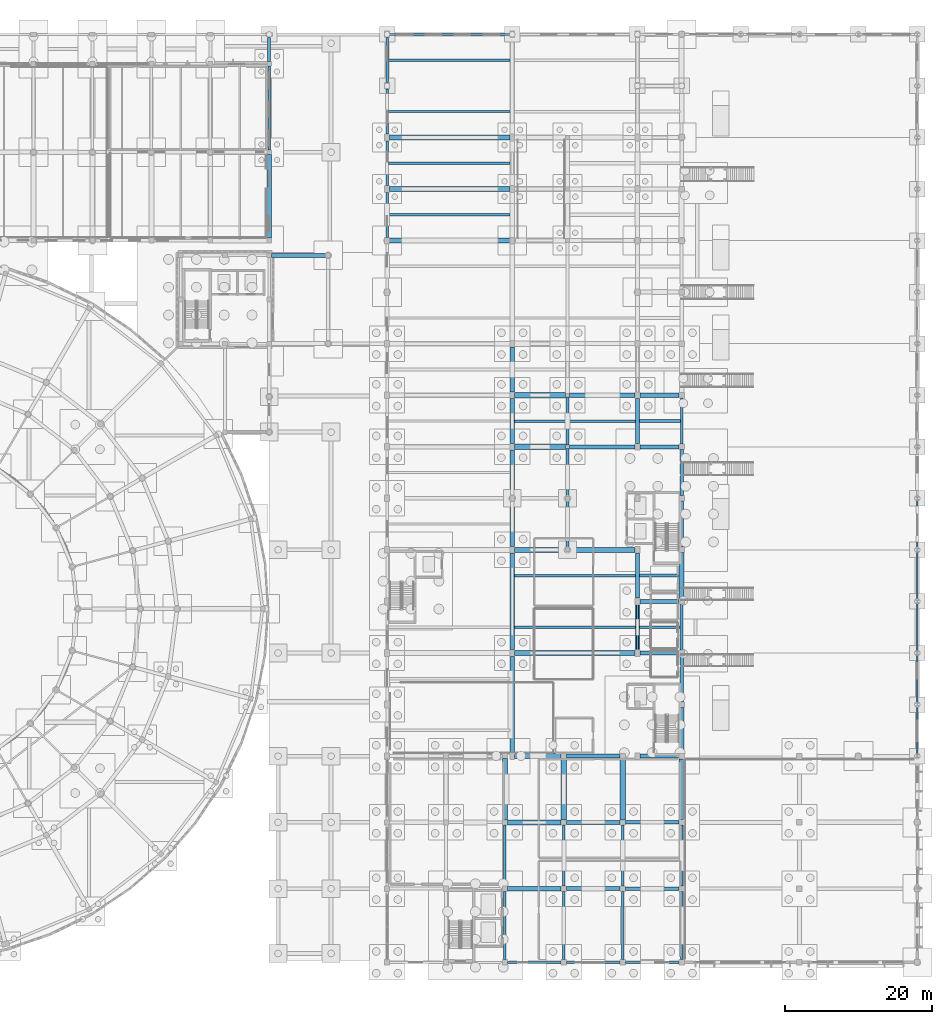
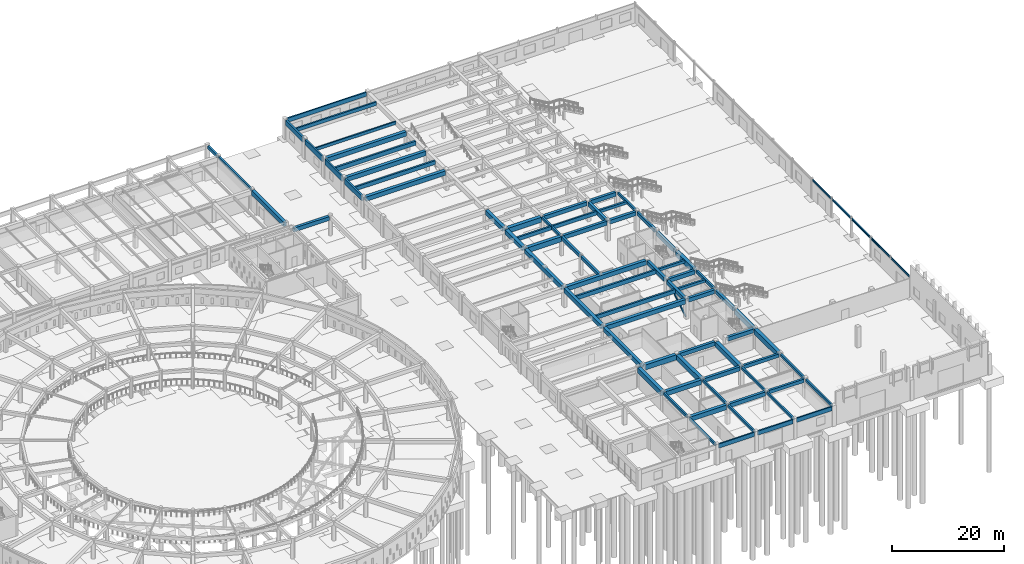
# One storey, part 35 of 84: 79 beams, 1 member.
"""IFC4 building model written with IfcOpenShell, lengths in metres."""

from ifc_helpers import new_model, si_unit, direction, frame, origin, origin_2d, place, context, subcontext, project, spatial, rectangle, i_section, extrude, material, material_profile, profile_set, type_object, element, save


model = new_model("IFC4")

# Units and contexts
model_context = context("Model", 3, precision=1e-05, world=origin(), true_north=direction((0.0, 1.0)))
body_context = subcontext(model_context, "Body", "Model", "MODEL_VIEW")
ifc_project = project(units=[si_unit("LENGTHUNIT", "METRE"), si_unit("AREAUNIT", "SQUARE_METRE"), si_unit("VOLUMEUNIT", "CUBIC_METRE"), si_unit("PLANEANGLEUNIT", "RADIAN"), si_unit("MASSUNIT", "GRAM", prefix="KILO")], contexts=[model_context])

# Site, building, storey
site_placement = place(None, origin())
site = spatial("IfcSite", under=ifc_project, at=site_placement, CompositionType="ELEMENT")
building_placement = place(site_placement, origin())
building = spatial("IfcBuilding", under=site, at=building_placement, Name="Larkveld Mobility Hub", CompositionType="ELEMENT")
storey_placement = place(building_placement, origin())
storey = spatial("IfcBuildingStorey", under=building, at=storey_placement, Name="L00", CompositionType="ELEMENT", Elevation=0.0)

# Beams
ifc_material_1 = material(Name="Precast concrete C50/60", Category="concrete")
ifc_material_profile_1 = material_profile(ifc_material_1, rectangle(XDim=0.280029296875, YDim=0.64990234375, at=origin_2d()), Name="PC DT 280x650")
ifc_profile_set_1 = profile_set([ifc_material_profile_1], Name="Precast concrete C50/60")
beam_type_1 = type_object("IfcBeamType", Name="BM-DT2865", PredefinedType="T_BEAM", material=ifc_profile_set_1)
beam_1_placement = place(storey_placement, frame((112.169921875, 115.5, 3.945068359375), z_axis=(1.0, 0.0, 0.0), x_axis=(0.0, 1.0, 0.0)))
element("IfcBeam", 1, at=beam_1_placement, inside=storey, type_object=beam_type_1, Name="Precast Double-Tee Stem L00-1043", PredefinedType="T_BEAM", context=body_context, shape_type="SweptSolid", body=[
    extrude(rectangle(XDim=0.280029296875, YDim=0.64990234375, at=origin_2d()), origin(), (0.0, 0.0, 1.0), 16.510009765625),
])
ifc_material_profile_2 = material_profile(ifc_material_1, rectangle(XDim=0.320068359375, YDim=0.75, at=origin_2d()), Name="PC DT 320x750")
ifc_profile_set_2 = profile_set([ifc_material_profile_2], Name="Precast concrete C50/60")
beam_type_2 = type_object("IfcBeamType", Name="BM-DT3275", PredefinedType="T_BEAM", material=ifc_profile_set_2)
beam_2_placement = place(storey_placement, frame((112.169921875, 122.5, 3.89501953125), z_axis=(1.0, 0.0, 0.0), x_axis=(0.0, 1.0, 0.0)))
element("IfcBeam", 2, at=beam_2_placement, inside=storey, type_object=beam_type_2, Name="Precast Double-Tee Stem L00-1046", PredefinedType="T_BEAM", context=body_context, shape_type="SweptSolid", body=[
    extrude(rectangle(XDim=0.320068359375, YDim=0.75, at=origin_2d()), origin(), (0.0, 0.0, 1.0), 16.510009765625),
])
ifc_material_profile_3 = material_profile(ifc_material_1, rectangle(XDim=0.340087890625, YDim=0.800048828125, at=origin_2d()), Name="PC DT 340x800")
ifc_profile_set_3 = profile_set([ifc_material_profile_3], Name="Precast concrete C50/60")
beam_type_3 = type_object("IfcBeamType", Name="BM-DT3480", PredefinedType="T_BEAM", material=ifc_profile_set_3)
beam_3_placement = place(storey_placement, frame((129.320068359375, 73.5, 3.8701171875), z_axis=(1.0, 0.0, 0.0), x_axis=(0.0, 1.0, 0.0)))
element("IfcBeam", 3, at=beam_3_placement, inside=storey, type_object=beam_type_3, Name="Precast Double-Tee Stem L00-1026", PredefinedType="T_BEAM", context=body_context, shape_type="SweptSolid", body=[
    extrude(rectangle(XDim=0.340087890625, YDim=0.800048828125, at=origin_2d()), origin(), (0.0, 0.0, 1.0), 16.409912109375),
])
ifc_material_profile_4 = material_profile(ifc_material_1, rectangle(XDim=0.360107421875, YDim=0.85009765625, at=origin_2d()), Name="PC DT 360x850")
ifc_profile_set_4 = profile_set([ifc_material_profile_4], Name="Precast concrete C50/60")
beam_type_4 = type_object("IfcBeamType", Name="BM-DT3685", PredefinedType="T_BEAM", material=ifc_profile_set_4)
beam_4_placement = place(storey_placement, frame((129.320068359375, 45.5, 3.844970703125), z_axis=(1.0, 0.0, 0.0), x_axis=(0.0, 1.0, 0.0)))
element("IfcBeam", 4, at=beam_4_placement, inside=storey, type_object=beam_type_4, Name="Precast Double-Tee Stem L00-1019", PredefinedType="T_BEAM", context=body_context, shape_type="SweptSolid", body=[
    extrude(rectangle(XDim=0.360107421875, YDim=0.85009765625, at=origin_2d()), origin(), (0.0, 0.0, 1.0), 16.409912109375),
])
beam_5_placement = place(storey_placement, frame((112.169921875, 101.5, 3.844970703125), z_axis=(1.0, 0.0, 0.0), x_axis=(0.0, 1.0, 0.0)))
element("IfcBeam", 5, at=beam_5_placement, inside=storey, type_object=beam_type_4, Name="Precast Double-Tee Stem L00-1037", PredefinedType="T_BEAM", context=body_context, shape_type="SweptSolid", body=[
    extrude(rectangle(XDim=0.360107421875, YDim=0.85009765625, at=origin_2d()), origin(), (0.0, 0.0, 1.0), 16.510009765625),
])
ifc_material_profile_5 = material_profile(ifc_material_1, rectangle(XDim=0.3798828125, YDim=0.89990234375, at=origin_2d()), Name="PC DT 380x900")
ifc_profile_set_5 = profile_set([ifc_material_profile_5], Name="Precast concrete C50/60")
beam_type_5 = type_object("IfcBeamType", Name="BM-DT3890", PredefinedType="T_BEAM", material=ifc_profile_set_5)
beam_6_placement = place(storey_placement, frame((129.320068359375, 52.5, 3.820068359375), z_axis=(1.0, 0.0, 0.0), x_axis=(0.0, 1.0, 0.0)))
element("IfcBeam", 6, at=beam_6_placement, inside=storey, type_object=beam_type_5, Name="Precast Double-Tee Stem L00-1021", PredefinedType="T_BEAM", context=body_context, shape_type="SweptSolid", body=[
    extrude(rectangle(XDim=0.3798828125, YDim=0.89990234375, at=origin_2d()), origin(), (0.0, 0.0, 1.0), 16.409912109375),
])
beam_7_placement = place(storey_placement, frame((112.169921875, 108.5, 3.820068359375), z_axis=(1.0, 0.0, 0.0), x_axis=(0.0, 1.0, 0.0)))
element("IfcBeam", 7, at=beam_7_placement, inside=storey, type_object=beam_type_5, Name="Precast Double-Tee Stem L00-1040", PredefinedType="T_BEAM", context=body_context, shape_type="SweptSolid", body=[
    extrude(rectangle(XDim=0.3798828125, YDim=0.89990234375, at=origin_2d()), origin(), (0.0, 0.0, 1.0), 16.510009765625),
])
ifc_material_profile_6 = material_profile(ifc_material_1, rectangle(XDim=0.64990234375, YDim=0.949951171875, at=origin_2d()), Name="PC ITB 650x950")
ifc_profile_set_6 = profile_set([ifc_material_profile_6], Name="Precast concrete C50/60")
beam_type_6 = type_object("IfcBeamType", Name="BM-ITB6595", PredefinedType="T_BEAM", material=ifc_profile_set_6)
for number, where, z_axis, x_axis, name in (
    (8, (129.324951171875, 42.0, 3.784912109375), (1.0, 0.0, 0.0), (0.0, 1.0, 0.0), "Primary E-W Girder L00-0022"),
    (9, (129.324951171875, 56.0, 3.784912109375), (1.0, 0.0, 0.0), (0.0, 1.0, 0.0), "Primary E-W Girder L00-0026"),
    (10, (112.324951171875, 98.0, 3.784912109375), (1.0, 0.0, 0.0), (0.0, 1.0, 0.0), "Primary E-W Girder L00-0059"),
    (11, (112.324951171875, 105.0, 3.784912109375), (1.0, 0.0, 0.0), (0.0, 1.0, 0.0), "Primary E-W Girder L00-0063"),
    (12, (112.324951171875, 112.0, 3.784912109375), (1.0, 0.0, 0.0), (0.0, 1.0, 0.0), "Primary E-W Girder L00-0079"),
):
    element("IfcBeam", number, at=place(storey_placement, frame(where, z_axis=z_axis, x_axis=x_axis)), inside=storey, type_object=beam_type_6, Name=name, PredefinedType="T_BEAM", context=body_context, shape_type="SweptSolid", body=[
        extrude(rectangle(XDim=0.64990234375, YDim=0.949951171875, at=origin_2d()), origin(), (0.0, 0.0, 1.0), 16.35009765625),
    ])
for number, where, z_axis, x_axis, name in (
    (13, (129.0, 28.449951171875, 3.784912109375), (0.0, 1.0, 0.0), (-1.0, 0.0, 0.0), "Primary N-S Girder L00-0181"),
    (14, (129.0, 42.449951171875, 3.784912109375), (0.0, 1.0, 0.0), (-1.0, 0.0, 0.0), "Primary N-S Girder L00-0182"),
    (15, (129.0, 56.449951171875, 3.784912109375), (0.0, 1.0, 0.0), (-1.0, 0.0, 0.0), "Primary N-S Girder L00-0183"),
):
    element("IfcBeam", number, at=place(storey_placement, frame(where, z_axis=z_axis, x_axis=x_axis)), inside=storey, type_object=beam_type_6, Name=name, PredefinedType="T_BEAM", context=body_context, shape_type="SweptSolid", body=[
        extrude(rectangle(XDim=0.64990234375, YDim=0.949951171875, at=origin_2d()), origin(), (0.0, 0.0, 1.0), 13.10009765625),
    ])
for number, where, z_axis, x_axis, name in (
    (16, (129.0, 70.449951171875, 3.784912109375), (0.0, 1.0, 0.0), (-1.0, 0.0, 0.0), "Primary N-S Girder L00-0184"),
    (17, (129.0, 77.449951171875, 3.784912109375), (0.0, 1.0, 0.0), (-1.0, 0.0, 0.0), "Primary N-S Girder L00-0185"),
):
    element("IfcBeam", number, at=place(storey_placement, frame(where, z_axis=z_axis, x_axis=x_axis)), inside=storey, type_object=beam_type_6, Name=name, PredefinedType="T_BEAM", context=body_context, shape_type="SweptSolid", body=[
        extrude(rectangle(XDim=0.64990234375, YDim=0.949951171875, at=origin_2d()), origin(), (0.0, 0.0, 1.0), 6.10009765625),
    ])
ifc_material_2 = material(Name="Concrete C40/50", Category="concrete")
ifc_material_profile_7 = material_profile(ifc_material_2, rectangle(XDim=0.35009765625, YDim=0.550048828125, at=origin_2d()), Name="RC BM 350x550")
ifc_profile_set_7 = profile_set([ifc_material_profile_7], Name="Concrete C40/50")
beam_type_7 = type_object("IfcBeamType", Name="BM-RC3555", PredefinedType="BEAM", material=ifc_profile_set_7)
beam_8_placement = place(storey_placement, frame((96.0, 110.324951171875, 3.985107421875), z_axis=(0.0, 1.0, 0.0), x_axis=(-1.0, 0.0, 0.0)))
element("IfcBeam", 18, at=beam_8_placement, inside=storey, type_object=beam_type_7, Name="Primary N-S Girder L00-0155", PredefinedType="BEAM", context=body_context, shape_type="SweptSolid", body=[
    extrude(rectangle(XDim=0.35009765625, YDim=0.550048828125, at=origin_2d()), origin(), (0.0, 0.0, 1.0), 11.35009765625),
])
beam_9_placement = place(storey_placement, frame((128.0, 0.35009765625, 3.985107421875), z_axis=(0.0, 1.0, 0.0), x_axis=(-1.0, 0.0, 0.0)))
element("IfcBeam", 19, at=beam_9_placement, inside=storey, type_object=beam_type_7, Name="Primary N-S Girder L00-0178", PredefinedType="BEAM", context=body_context, shape_type="SweptSolid", body=[
    extrude(rectangle(XDim=0.35009765625, YDim=0.550048828125, at=origin_2d()), origin(), (0.0, 0.0, 1.0), 9.2998046875),
])
beam_10_placement = place(storey_placement, frame((128.0, 10.35009765625, 3.985107421875), z_axis=(0.0, 1.0, 0.0), x_axis=(-1.0, 0.0, 0.0)))
element("IfcBeam", 20, at=beam_10_placement, inside=storey, type_object=beam_type_7, Name="Primary N-S Girder L00-0179", PredefinedType="BEAM", context=body_context, shape_type="SweptSolid", body=[
    extrude(rectangle(XDim=0.35009765625, YDim=0.550048828125, at=origin_2d()), origin(), (0.0, 0.0, 1.0), 8.2998046875),
])
beam_11_placement = place(storey_placement, frame((136.0, 0.35009765625, 3.985107421875), z_axis=(0.0, 1.0, 0.0), x_axis=(-1.0, 0.0, 0.0)))
element("IfcBeam", 21, at=beam_11_placement, inside=storey, type_object=beam_type_7, Name="Primary N-S Girder L00-0190", PredefinedType="BEAM", context=body_context, shape_type="SweptSolid", body=[
    extrude(rectangle(XDim=0.35009765625, YDim=0.550048828125, at=origin_2d()), origin(), (0.0, 0.0, 1.0), 9.2998046875),
])
beam_12_placement = place(storey_placement, frame((136.0, 10.35009765625, 3.985107421875), z_axis=(0.0, 1.0, 0.0), x_axis=(-1.0, 0.0, 0.0)))
element("IfcBeam", 22, at=beam_12_placement, inside=storey, type_object=beam_type_7, Name="Primary N-S Girder L00-0191", PredefinedType="BEAM", context=body_context, shape_type="SweptSolid", body=[
    extrude(rectangle(XDim=0.35009765625, YDim=0.550048828125, at=origin_2d()), origin(), (0.0, 0.0, 1.0), 8.2998046875),
])
beam_13_placement = place(storey_placement, frame((136.5, 70.25, 3.985107421875), z_axis=(0.0, 1.0, 0.0), x_axis=(-1.0, 0.0, 0.0)))
element("IfcBeam", 23, at=beam_13_placement, inside=storey, type_object=beam_type_7, Name="Primary N-S Girder L00-0193", PredefinedType="BEAM", context=body_context, shape_type="SweptSolid", body=[
    extrude(rectangle(XDim=0.35009765625, YDim=0.550048828125, at=origin_2d()), origin(), (0.0, 0.0, 1.0), 6.5),
])
beam_14_placement = place(storey_placement, frame((144.0, 0.35009765625, 3.985107421875), z_axis=(0.0, 1.0, 0.0), x_axis=(-1.0, 0.0, 0.0)))
element("IfcBeam", 24, at=beam_14_placement, inside=storey, type_object=beam_type_7, Name="Primary N-S Girder L00-0198", PredefinedType="BEAM", context=body_context, shape_type="SweptSolid", body=[
    extrude(rectangle(XDim=0.35009765625, YDim=0.550048828125, at=origin_2d()), origin(), (0.0, 0.0, 1.0), 9.2998046875),
])
beam_15_placement = place(storey_placement, frame((144.0, 10.35009765625, 3.985107421875), z_axis=(0.0, 1.0, 0.0), x_axis=(-1.0, 0.0, 0.0)))
element("IfcBeam", 25, at=beam_15_placement, inside=storey, type_object=beam_type_7, Name="Primary N-S Girder L00-0199", PredefinedType="BEAM", context=body_context, shape_type="SweptSolid", body=[
    extrude(rectangle(XDim=0.35009765625, YDim=0.550048828125, at=origin_2d()), origin(), (0.0, 0.0, 1.0), 8.2998046875),
])
beam_16_placement = place(storey_placement, frame((152.0, 0.375, 3.985107421875), z_axis=(0.0, 1.0, 0.0), x_axis=(-1.0, 0.0, 0.0)))
element("IfcBeam", 26, at=beam_16_placement, inside=storey, type_object=beam_type_7, Name="Primary N-S Girder L00-0211", PredefinedType="BEAM", context=body_context, shape_type="SweptSolid", body=[
    extrude(rectangle(XDim=0.35009765625, YDim=0.550048828125, at=origin_2d()), origin(), (0.0, 0.0, 1.0), 9.25),
])
beam_17_placement = place(storey_placement, frame((152.0, 10.375, 3.985107421875), z_axis=(0.0, 1.0, 0.0), x_axis=(-1.0, 0.0, 0.0)))
element("IfcBeam", 27, at=beam_17_placement, inside=storey, type_object=beam_type_7, Name="Primary N-S Girder L00-0212", PredefinedType="BEAM", context=body_context, shape_type="SweptSolid", body=[
    extrude(rectangle(XDim=0.35009765625, YDim=0.550048828125, at=origin_2d()), origin(), (0.0, 0.0, 1.0), 8.25),
])
beam_18_placement = place(storey_placement, frame((152.0, 70.375, 3.985107421875), z_axis=(0.0, 1.0, 0.0), x_axis=(-1.0, 0.0, 0.0)))
element("IfcBeam", 28, at=beam_18_placement, inside=storey, type_object=beam_type_7, Name="Primary N-S Girder L00-0220", PredefinedType="BEAM", context=body_context, shape_type="SweptSolid", body=[
    extrude(rectangle(XDim=0.35009765625, YDim=0.550048828125, at=origin_2d()), origin(), (0.0, 0.0, 1.0), 6.25),
])
ifc_material_profile_8 = material_profile(ifc_material_2, rectangle(XDim=0.39990234375, YDim=0.60009765625, at=origin_2d()), Name="RC BM 400x600")
ifc_profile_set_8 = profile_set([ifc_material_profile_8], Name="Concrete C40/50")
beam_type_8 = type_object("IfcBeamType", Name="BM-RC4060", PredefinedType="BEAM", material=ifc_profile_set_8)
beam_19_placement = place(storey_placement, frame((146.27001953125, 45.5, 3.969970703125), z_axis=(1.0, 0.0, 0.0), x_axis=(0.0, 1.0, 0.0)))
element("IfcBeam", 29, at=beam_19_placement, inside=storey, type_object=beam_type_8, Name="Concourse Spine Joist L00-1020", PredefinedType="BEAM", context=body_context, shape_type="SweptSolid", body=[
    extrude(rectangle(XDim=0.39990234375, YDim=0.60009765625, at=origin_2d()), origin(), (0.0, 0.0, 1.0), 5.534912109375),
])
beam_20_placement = place(storey_placement, frame((146.27001953125, 52.5, 3.969970703125), z_axis=(1.0, 0.0, 0.0), x_axis=(0.0, 1.0, 0.0)))
element("IfcBeam", 30, at=beam_20_placement, inside=storey, type_object=beam_type_8, Name="Concourse Spine Joist L00-1022", PredefinedType="BEAM", context=body_context, shape_type="SweptSolid", body=[
    extrude(rectangle(XDim=0.39990234375, YDim=0.60009765625, at=origin_2d()), origin(), (0.0, 0.0, 1.0), 5.385009765625),
])
beam_21_placement = place(storey_placement, frame((146.27001953125, 73.5, 3.969970703125), z_axis=(1.0, 0.0, 0.0), x_axis=(0.0, 1.0, 0.0)))
element("IfcBeam", 31, at=beam_21_placement, inside=storey, type_object=beam_type_8, Name="Concourse Spine Joist L00-1027", PredefinedType="BEAM", context=body_context, shape_type="SweptSolid", body=[
    extrude(rectangle(XDim=0.39990234375, YDim=0.60009765625, at=origin_2d()), origin(), (0.0, 0.0, 1.0), 5.56005859375),
])
ifc_material_profile_9 = material_profile(ifc_material_2, rectangle(XDim=0.39990234375, YDim=0.64990234375, at=origin_2d()), Name="RC BM 400x650")
ifc_profile_set_9 = profile_set([ifc_material_profile_9], Name="Concrete C40/50")
beam_type_9 = type_object("IfcBeamType", Name="BM-RC4065", PredefinedType="BEAM", material=ifc_profile_set_9)
beam_22_placement = place(storey_placement, frame((96.0, 122.324951171875, 3.93505859375), z_axis=(0.0, 1.0, 0.0), x_axis=(-1.0, 0.0, 0.0)))
element("IfcBeam", 32, at=beam_22_placement, inside=storey, type_object=beam_type_9, Name="Primary N-S Girder L00-0156", PredefinedType="BEAM", context=body_context, shape_type="SweptSolid", body=[
    extrude(rectangle(XDim=0.39990234375, YDim=0.64990234375, at=origin_2d()), origin(), (0.0, 0.0, 1.0), 3.25),
])
beam_23_placement = place(storey_placement, frame((152.0, 42.375, 3.93505859375), z_axis=(0.0, 1.0, 0.0), x_axis=(-1.0, 0.0, 0.0)))
element("IfcBeam", 33, at=beam_23_placement, inside=storey, type_object=beam_type_9, Name="Primary N-S Girder L00-0216", PredefinedType="BEAM", context=body_context, shape_type="SweptSolid", body=[
    extrude(rectangle(XDim=0.39990234375, YDim=0.64990234375, at=origin_2d()), origin(), (0.0, 0.0, 1.0), 6.25),
])
ifc_material_profile_10 = material_profile(ifc_material_2, rectangle(XDim=0.449951171875, YDim=0.699951171875, at=origin_2d()), Name="RC BM 450x700")
ifc_profile_set_10 = profile_set([ifc_material_profile_10], Name="Concrete C40/50")
beam_type_10 = type_object("IfcBeamType", Name="BM-RC4570", PredefinedType="BEAM", material=ifc_profile_set_10)
beam_24_placement = place(storey_placement, frame((152.0, 63.375, 3.909912109375), z_axis=(0.0, 1.0, 0.0), x_axis=(-1.0, 0.0, 0.0)))
element("IfcBeam", 34, at=beam_24_placement, inside=storey, type_object=beam_type_10, Name="Primary N-S Girder L00-0219", PredefinedType="BEAM", context=body_context, shape_type="SweptSolid", body=[
    extrude(rectangle(XDim=0.449951171875, YDim=0.699951171875, at=origin_2d()), origin(), (0.0, 0.0, 1.0), 6.25),
])
for number, where, z_axis, x_axis, name in (
    (35, (136.5, 56.25, 3.909912109375), (0.0, 1.0, 0.0), (-1.0, 0.0, 0.0), "Ramp Edge Girder L00-0241"),
    (36, (136.5, 63.25, 3.909912109375), (0.0, 1.0, 0.0), (-1.0, 0.0, 0.0), "Ramp Edge Girder L00-0241"),
):
    element("IfcBeam", number, at=place(storey_placement, frame(where, z_axis=z_axis, x_axis=x_axis)), inside=storey, type_object=beam_type_10, Name=name, PredefinedType="BEAM", context=body_context, shape_type="SweptSolid", body=[
        extrude(rectangle(XDim=0.449951171875, YDim=0.699951171875, at=origin_2d()), origin(), (0.0, 0.0, 1.0), 6.5),
    ])
ifc_material_profile_11 = material_profile(ifc_material_2, rectangle(XDim=0.449951171875, YDim=0.75, at=origin_2d()), Name="RC BM 450x750")
ifc_profile_set_11 = profile_set([ifc_material_profile_11], Name="Concrete C40/50")
beam_type_11 = type_object("IfcBeamType", Name="BM-RC4575", PredefinedType="BEAM", material=ifc_profile_set_11)
for number, where, z_axis, x_axis, name in (
    (37, (144.35009765625, 10.0, 3.885009765625), (1.0, 0.0, 0.0), (0.0, 1.0, 0.0), "Primary E-W Girder L00-0010"),
    (38, (144.35009765625, 19.0, 3.885009765625), (1.0, 0.0, 0.0), (0.0, 1.0, 0.0), "Primary E-W Girder L00-0015"),
):
    element("IfcBeam", number, at=place(storey_placement, frame(where, z_axis=z_axis, x_axis=x_axis)), inside=storey, type_object=beam_type_11, Name=name, PredefinedType="BEAM", context=body_context, shape_type="SweptSolid", body=[
        extrude(rectangle(XDim=0.449951171875, YDim=0.75, at=origin_2d()), origin(), (0.0, 0.0, 1.0), 7.27490234375),
    ])
ifc_material_profile_12 = material_profile(ifc_material_2, rectangle(XDim=0.5, YDim=0.800048828125, at=origin_2d()), Name="RC BM 500x800")
ifc_profile_set_12 = profile_set([ifc_material_profile_12], Name="Concrete C40/50")
beam_type_12 = type_object("IfcBeamType", Name="BM-RC5080", PredefinedType="BEAM", material=ifc_profile_set_12)
beam_25_placement = place(storey_placement, frame((152.0, 35.375, 3.860107421875), z_axis=(0.0, 1.0, 0.0), x_axis=(-1.0, 0.0, 0.0)))
element("IfcBeam", 39, at=beam_25_placement, inside=storey, type_object=beam_type_12, Name="Primary N-S Girder L00-0215", PredefinedType="BEAM", context=body_context, shape_type="SweptSolid", body=[
    extrude(rectangle(XDim=0.5, YDim=0.800048828125, at=origin_2d()), origin(), (0.0, 0.0, 1.0), 6.25),
])
ifc_material_profile_13 = material_profile(ifc_material_2, rectangle(XDim=0.550048828125, YDim=0.85009765625, at=origin_2d()), Name="RC BM 550x850")
ifc_profile_set_13 = profile_set([ifc_material_profile_13], Name="Concrete C40/50")
beam_type_13 = type_object("IfcBeamType", Name="BM-RC5585", PredefinedType="BEAM", material=ifc_profile_set_13)
for number, where, z_axis, x_axis, name in (
    (40, (136.35009765625, 10.0, 3.8349609375), (1.0, 0.0, 0.0), (0.0, 1.0, 0.0), "Primary E-W Girder L00-0009"),
    (41, (136.35009765625, 19.0, 3.8349609375), (1.0, 0.0, 0.0), (0.0, 1.0, 0.0), "Primary E-W Girder L00-0014"),
    (42, (136.35009765625, 28.0, 3.8349609375), (1.0, 0.0, 0.0), (0.0, 1.0, 0.0), "Primary E-W Girder L00-0019"),
):
    element("IfcBeam", number, at=place(storey_placement, frame(where, z_axis=z_axis, x_axis=x_axis)), inside=storey, type_object=beam_type_13, Name=name, PredefinedType="BEAM", context=body_context, shape_type="SweptSolid", body=[
        extrude(rectangle(XDim=0.550048828125, YDim=0.85009765625, at=origin_2d()), origin(), (0.0, 0.0, 1.0), 7.2998046875),
    ])
for number, where, z_axis, x_axis, name in (
    (43, (146.324951171875, 28.0, 3.8349609375), (1.0, 0.0, 0.0), (0.0, 1.0, 0.0), "Primary E-W Girder L00-0020"),
    (44, (146.324951171875, 42.0, 3.8349609375), (1.0, 0.0, 0.0), (0.0, 1.0, 0.0), "Primary E-W Girder L00-0023"),
    (45, (146.324951171875, 49.0, 3.8349609375), (1.0, 0.0, 0.0), (0.0, 1.0, 0.0), "Primary E-W Girder L00-0024"),
):
    element("IfcBeam", number, at=place(storey_placement, frame(where, z_axis=z_axis, x_axis=x_axis)), inside=storey, type_object=beam_type_13, Name=name, PredefinedType="BEAM", context=body_context, shape_type="SweptSolid", body=[
        extrude(rectangle(XDim=0.550048828125, YDim=0.85009765625, at=origin_2d()), origin(), (0.0, 0.0, 1.0), 5.300048828125),
    ])
beam_26_placement = place(storey_placement, frame((136.75, 70.0, 3.8349609375), z_axis=(1.0, 0.0, 0.0), x_axis=(0.0, 1.0, 0.0)))
element("IfcBeam", 46, at=beam_26_placement, inside=storey, type_object=beam_type_13, Name="Primary E-W Girder L00-0029", PredefinedType="BEAM", context=body_context, shape_type="SweptSolid", body=[
    extrude(rectangle(XDim=0.550048828125, YDim=0.85009765625, at=origin_2d()), origin(), (0.0, 0.0, 1.0), 8.925048828125),
])
beam_27_placement = place(storey_placement, frame((146.324951171875, 70.0, 3.8349609375), z_axis=(1.0, 0.0, 0.0), x_axis=(0.0, 1.0, 0.0)))
element("IfcBeam", 47, at=beam_27_placement, inside=storey, type_object=beam_type_13, Name="Primary E-W Girder L00-0030", PredefinedType="BEAM", context=body_context, shape_type="SweptSolid", body=[
    extrude(rectangle(XDim=0.550048828125, YDim=0.85009765625, at=origin_2d()), origin(), (0.0, 0.0, 1.0), 5.300048828125),
])
beam_28_placement = place(storey_placement, frame((136.75, 77.0, 3.8349609375), z_axis=(1.0, 0.0, 0.0), x_axis=(0.0, 1.0, 0.0)))
element("IfcBeam", 48, at=beam_28_placement, inside=storey, type_object=beam_type_13, Name="Primary E-W Girder L00-0033", PredefinedType="BEAM", context=body_context, shape_type="SweptSolid", body=[
    extrude(rectangle(XDim=0.550048828125, YDim=0.85009765625, at=origin_2d()), origin(), (0.0, 0.0, 1.0), 8.925048828125),
])
beam_29_placement = place(storey_placement, frame((146.324951171875, 77.0, 3.8349609375), z_axis=(1.0, 0.0, 0.0), x_axis=(0.0, 1.0, 0.0)))
element("IfcBeam", 49, at=beam_29_placement, inside=storey, type_object=beam_type_13, Name="Primary E-W Girder L00-0034", PredefinedType="BEAM", context=body_context, shape_type="SweptSolid", body=[
    extrude(rectangle(XDim=0.550048828125, YDim=0.85009765625, at=origin_2d()), origin(), (0.0, 0.0, 1.0), 5.300048828125),
])
beam_30_placement = place(storey_placement, frame((96.324951171875, 96.0, 3.8349609375), z_axis=(1.0, 0.0, 0.0), x_axis=(0.0, 1.0, 0.0)))
element("IfcBeam", 50, at=beam_30_placement, inside=storey, type_object=beam_type_13, Name="Primary E-W Girder L00-0046", PredefinedType="BEAM", context=body_context, shape_type="SweptSolid", body=[
    extrude(rectangle(XDim=0.550048828125, YDim=0.85009765625, at=origin_2d()), origin(), (0.0, 0.0, 1.0), 7.324951171875),
])
for number, where, z_axis, x_axis, name in (
    (51, (146.0, 42.449951171875, 3.8349609375), (0.0, 1.0, 0.0), (-1.0, 0.0, 0.0), "Primary N-S Girder L00-0201"),
    (52, (146.0, 49.449951171875, 3.8349609375), (0.0, 1.0, 0.0), (-1.0, 0.0, 0.0), "Primary N-S Girder L00-0202"),
    (53, (146.0, 70.449951171875, 3.8349609375), (0.0, 1.0, 0.0), (-1.0, 0.0, 0.0), "Primary N-S Girder L00-0203"),
):
    element("IfcBeam", number, at=place(storey_placement, frame(where, z_axis=z_axis, x_axis=x_axis)), inside=storey, type_object=beam_type_13, Name=name, PredefinedType="BEAM", context=body_context, shape_type="SweptSolid", body=[
        extrude(rectangle(XDim=0.550048828125, YDim=0.85009765625, at=origin_2d()), origin(), (0.0, 0.0, 1.0), 6.10009765625),
    ])
beam_31_placement = place(storey_placement, frame((152.0, 56.375, 3.8349609375), z_axis=(0.0, 1.0, 0.0), x_axis=(-1.0, 0.0, 0.0)))
element("IfcBeam", 54, at=beam_31_placement, inside=storey, type_object=beam_type_13, Name="Primary N-S Girder L00-0218", PredefinedType="BEAM", context=body_context, shape_type="SweptSolid", body=[
    extrude(rectangle(XDim=0.550048828125, YDim=0.85009765625, at=origin_2d()), origin(), (0.0, 0.0, 1.0), 6.25),
])
ifc_material_profile_14 = material_profile(ifc_material_2, rectangle(XDim=0.64990234375, YDim=1.0, at=origin_2d()), Name="RC BM 650x1000")
ifc_profile_set_14 = profile_set([ifc_material_profile_14], Name="Concrete C40/50")
beam_type_14 = type_object("IfcBeamType", Name="BM-RC65100", PredefinedType="BEAM", material=ifc_profile_set_14)
for number, where, z_axis, x_axis, name in (
    (55, (128.35009765625, 10.0, 3.760009765625), (1.0, 0.0, 0.0), (0.0, 1.0, 0.0), "Primary E-W Girder L00-0008"),
    (56, (128.35009765625, 19.0, 3.760009765625), (1.0, 0.0, 0.0), (0.0, 1.0, 0.0), "Primary E-W Girder L00-0013"),
):
    element("IfcBeam", number, at=place(storey_placement, frame(where, z_axis=z_axis, x_axis=x_axis)), inside=storey, type_object=beam_type_14, Name=name, PredefinedType="BEAM", context=body_context, shape_type="SweptSolid", body=[
        extrude(rectangle(XDim=0.64990234375, YDim=1.0, at=origin_2d()), origin(), (0.0, 0.0, 1.0), 7.2998046875),
    ])
beam_32_placement = place(storey_placement, frame((96.0, 98.324951171875, 3.760009765625), z_axis=(0.0, 1.0, 0.0), x_axis=(-1.0, 0.0, 0.0)))
element("IfcBeam", 57, at=beam_32_placement, inside=storey, type_object=beam_type_14, Name="Primary N-S Girder L00-0154", PredefinedType="BEAM", context=body_context, shape_type="SweptSolid", body=[
    extrude(rectangle(XDim=0.64990234375, YDim=1.0, at=origin_2d()), origin(), (0.0, 0.0, 1.0), 11.35009765625),
])
beam_33_placement = place(storey_placement, frame((152.0, 28.375, 3.760009765625), z_axis=(0.0, 1.0, 0.0), x_axis=(-1.0, 0.0, 0.0)))
element("IfcBeam", 58, at=beam_33_placement, inside=storey, type_object=beam_type_14, Name="Primary N-S Girder L00-0214", PredefinedType="BEAM", context=body_context, shape_type="SweptSolid", body=[
    extrude(rectangle(XDim=0.64990234375, YDim=1.0, at=origin_2d()), origin(), (0.0, 0.0, 1.0), 6.25),
])
ifc_material_profile_15 = material_profile(ifc_material_2, rectangle(XDim=0.699951171875, YDim=1.10009765625, at=origin_2d()), Name="RC BM 700x1100")
ifc_profile_set_15 = profile_set([ifc_material_profile_15], Name="Concrete C40/50")
beam_type_15 = type_object("IfcBeamType", Name="BM-RC70110", PredefinedType="BEAM", material=ifc_profile_set_15)
beam_34_placement = place(storey_placement, frame((129.324951171875, 28.0, 3.7099609375), z_axis=(1.0, 0.0, 0.0), x_axis=(0.0, 1.0, 0.0)))
element("IfcBeam", 59, at=beam_34_placement, inside=storey, type_object=beam_type_15, Name="Primary E-W Girder L00-0018", PredefinedType="BEAM", context=body_context, shape_type="SweptSolid", body=[
    extrude(rectangle(XDim=0.699951171875, YDim=1.10009765625, at=origin_2d()), origin(), (0.0, 0.0, 1.0), 6.324951171875),
])
for number, where, z_axis, x_axis, name in (
    (60, (129.324951171875, 70.0, 3.7099609375), (1.0, 0.0, 0.0), (0.0, 1.0, 0.0), "Primary E-W Girder L00-0028"),
    (61, (129.324951171875, 77.0, 3.7099609375), (1.0, 0.0, 0.0), (0.0, 1.0, 0.0), "Primary E-W Girder L00-0032"),
):
    element("IfcBeam", number, at=place(storey_placement, frame(where, z_axis=z_axis, x_axis=x_axis)), inside=storey, type_object=beam_type_15, Name=name, PredefinedType="BEAM", context=body_context, shape_type="SweptSolid", body=[
        extrude(rectangle(XDim=0.699951171875, YDim=1.10009765625, at=origin_2d()), origin(), (0.0, 0.0, 1.0), 6.925048828125),
    ])
for number, where, z_axis, x_axis, name in (
    (62, (128.0, 19.35009765625, 3.7099609375), (0.0, 1.0, 0.0), (-1.0, 0.0, 0.0), "Primary N-S Girder L00-0180"),
    (63, (136.0, 19.35009765625, 3.7099609375), (0.0, 1.0, 0.0), (-1.0, 0.0, 0.0), "Primary N-S Girder L00-0192"),
    (64, (144.0, 19.35009765625, 3.7099609375), (0.0, 1.0, 0.0), (-1.0, 0.0, 0.0), "Primary N-S Girder L00-0200"),
):
    element("IfcBeam", number, at=place(storey_placement, frame(where, z_axis=z_axis, x_axis=x_axis)), inside=storey, type_object=beam_type_15, Name=name, PredefinedType="BEAM", context=body_context, shape_type="SweptSolid", body=[
        extrude(rectangle(XDim=0.699951171875, YDim=1.10009765625, at=origin_2d()), origin(), (0.0, 0.0, 1.0), 8.2998046875),
    ])
beam_35_placement = place(storey_placement, frame((152.0, 19.375, 3.7099609375), z_axis=(0.0, 1.0, 0.0), x_axis=(-1.0, 0.0, 0.0)))
element("IfcBeam", 65, at=beam_35_placement, inside=storey, type_object=beam_type_15, Name="Primary N-S Girder L00-0213", PredefinedType="BEAM", context=body_context, shape_type="SweptSolid", body=[
    extrude(rectangle(XDim=0.699951171875, YDim=1.10009765625, at=origin_2d()), origin(), (0.0, 0.0, 1.0), 8.25),
])
beam_36_placement = place(storey_placement, frame((152.0, 49.375, 3.7099609375), z_axis=(0.0, 1.0, 0.0), x_axis=(-1.0, 0.0, 0.0)))
element("IfcBeam", 66, at=beam_36_placement, inside=storey, type_object=beam_type_15, Name="Primary N-S Girder L00-0217", PredefinedType="BEAM", context=body_context, shape_type="SweptSolid", body=[
    extrude(rectangle(XDim=0.699951171875, YDim=1.10009765625, at=origin_2d()), origin(), (0.0, 0.0, 1.0), 6.25),
])
ifc_material_profile_16 = material_profile(ifc_material_1, rectangle(XDim=0.280029296875, YDim=0.89990234375, at=origin_2d()), Name="PC SP 280x900")
ifc_profile_set_16 = profile_set([ifc_material_profile_16], Name="Precast concrete C50/60")
beam_type_16 = type_object("IfcBeamType", Name="BM-SP2890", PredefinedType="SPANDREL", material=ifc_profile_set_16)
for number, where, z_axis, x_axis, name in (
    (67, (128.35009765625, 0.0, 3.81005859375), (1.0, 0.0, 0.0), (0.0, 1.0, 0.0), "Primary E-W Girder L00-0003"),
    (68, (136.35009765625, 0.0, 3.81005859375), (1.0, 0.0, 0.0), (0.0, 1.0, 0.0), "Primary E-W Girder L00-0004"),
):
    element("IfcBeam", number, at=place(storey_placement, frame(where, z_axis=z_axis, x_axis=x_axis)), inside=storey, type_object=beam_type_16, Name=name, PredefinedType="SPANDREL", context=body_context, shape_type="SweptSolid", body=[
        extrude(rectangle(XDim=0.280029296875, YDim=0.89990234375, at=origin_2d()), origin(), (0.0, 0.0, 1.0), 7.2998046875),
    ])
beam_37_placement = place(storey_placement, frame((144.35009765625, 0.0, 3.81005859375), z_axis=(1.0, 0.0, 0.0), x_axis=(0.0, 1.0, 0.0)))
element("IfcBeam", 69, at=beam_37_placement, inside=storey, type_object=beam_type_16, Name="Primary E-W Girder L00-0005", PredefinedType="SPANDREL", context=body_context, shape_type="SweptSolid", body=[
    extrude(rectangle(XDim=0.280029296875, YDim=0.89990234375, at=origin_2d()), origin(), (0.0, 0.0, 1.0), 7.27490234375),
])
beam_38_placement = place(storey_placement, frame((112.324951171875, 126.0, 3.81005859375), z_axis=(1.0, 0.0, 0.0), x_axis=(0.0, 1.0, 0.0)))
element("IfcBeam", 70, at=beam_38_placement, inside=storey, type_object=beam_type_16, Name="Primary E-W Girder L00-0108", PredefinedType="SPANDREL", context=body_context, shape_type="SweptSolid", body=[
    extrude(rectangle(XDim=0.280029296875, YDim=0.89990234375, at=origin_2d()), origin(), (0.0, 0.0, 1.0), 16.35009765625),
])
ifc_material_profile_17 = material_profile(ifc_material_1, rectangle(XDim=0.35009765625, YDim=1.14990234375, at=origin_2d()), Name="PC SP 350x1150")
ifc_profile_set_17 = profile_set([ifc_material_profile_17], Name="Precast concrete C50/60")
beam_type_17 = type_object("IfcBeamType", Name="BM-SP35115", PredefinedType="SPANDREL", material=ifc_profile_set_17)
for number, where, z_axis, x_axis, name in (
    (71, (112.0, 98.449951171875, 3.68505859375), (0.0, 1.0, 0.0), (-1.0, 0.0, 0.0), "Primary N-S Girder L00-0171"),
    (72, (112.0, 105.449951171875, 3.68505859375), (0.0, 1.0, 0.0), (-1.0, 0.0, 0.0), "Primary N-S Girder L00-0172"),
    (73, (112.0, 112.449951171875, 3.68505859375), (0.0, 1.0, 0.0), (-1.0, 0.0, 0.0), "Primary N-S Girder L00-0173"),
    (74, (112.0, 119.449951171875, 3.68505859375), (0.0, 1.0, 0.0), (-1.0, 0.0, 0.0), "Primary N-S Girder L00-0174"),
):
    element("IfcBeam", number, at=place(storey_placement, frame(where, z_axis=z_axis, x_axis=x_axis)), inside=storey, type_object=beam_type_17, Name=name, PredefinedType="SPANDREL", context=body_context, shape_type="SweptSolid", body=[
        extrude(rectangle(XDim=0.35009765625, YDim=1.14990234375, at=origin_2d()), origin(), (0.0, 0.0, 1.0), 6.10009765625),
    ])
ifc_material_3 = material(Name="Steel S355JR", Category="steel")
ifc_material_profile_18 = material_profile(ifc_material_3, i_section(OverallWidth=0.18994140625, OverallDepth=0.449951171875, WebThickness=0.009521484375, FlangeThickness=0.0146484375, FilletRadius=0.02099609375, at=origin_2d()), Name="IPE 450")
ifc_profile_set_18 = profile_set([ifc_material_profile_18], Name="Steel S355JR")
beam_type_18 = type_object("IfcBeamType", Name="BM-STIPE450", PredefinedType="BEAM", material=ifc_profile_set_18)
for number, where, z_axis, x_axis, name in (
    (75, (184.0, 28.18408203125, 4.034912109375), (0.0, 1.0, 0.0), (-1.0, 0.0, 0.0), "Bus Hall Wind Girt L00-0228"),
    (76, (184.0, 35.18408203125, 4.034912109375), (0.0, 1.0, 0.0), (-1.0, 0.0, 0.0), "Bus Hall Wind Girt L00-0229"),
    (77, (184.0, 42.18408203125, 4.034912109375), (0.0, 1.0, 0.0), (-1.0, 0.0, 0.0), "Bus Hall Wind Girt L00-0230"),
    (78, (184.0, 49.18408203125, 4.034912109375), (0.0, 1.0, 0.0), (-1.0, 0.0, 0.0), "Bus Hall Wind Girt L00-0231"),
    (79, (184.0, 56.18408203125, 4.034912109375), (0.0, 1.0, 0.0), (-1.0, 0.0, 0.0), "Bus Hall Wind Girt L00-0232"),
):
    element("IfcBeam", number, at=place(storey_placement, frame(where, z_axis=z_axis, x_axis=x_axis)), inside=storey, type_object=beam_type_18, Name=name, PredefinedType="BEAM", context=body_context, shape_type="SweptSolid", body=[
        extrude(i_section(OverallWidth=0.18994140625, OverallDepth=0.449951171875, WebThickness=0.009521484375, FlangeThickness=0.0146484375, FilletRadius=0.02099609375, at=origin_2d()), origin(), (0.0, 0.0, 1.0), 6.6318359375),
    ])

# Member
ifc_material_profile_19 = material_profile(ifc_material_3, i_section(OverallWidth=0.239990234375, OverallDepth=0.239990234375, WebThickness=0.010009765625, FlangeThickness=0.01708984375, FilletRadius=0.02099609375, at=origin_2d()), Name="HEB 240")
ifc_profile_set_19 = profile_set([ifc_material_profile_19], Name="Steel S355JR")
member_type = type_object("IfcMemberType", Name="MB-BR-HEB240", PredefinedType="BRACE", material=ifc_profile_set_19)
member_placement = place(storey_placement, frame((146.0, 42.179931640625, 0.10009765625), z_axis=(0.0, 0.842253403203, 0.539081816419), x_axis=(-1.0, 0.0, 0.0)))
element("IfcMember", 80, at=member_placement, inside=storey, type_object=member_type, Name="Lateral Diagonal Brace LB-01", PredefinedType="BRACE", context=body_context, shape_type="SweptSolid", body=[
    extrude(i_section(OverallWidth=0.239990234375, OverallDepth=0.239990234375, WebThickness=0.010009765625, FlangeThickness=0.01708984375, FilletRadius=0.02099609375, at=origin_2d()), origin(), (0.0, 0.0, 1.0), 7.8837890625),
])

save(model, "model.ifc")
